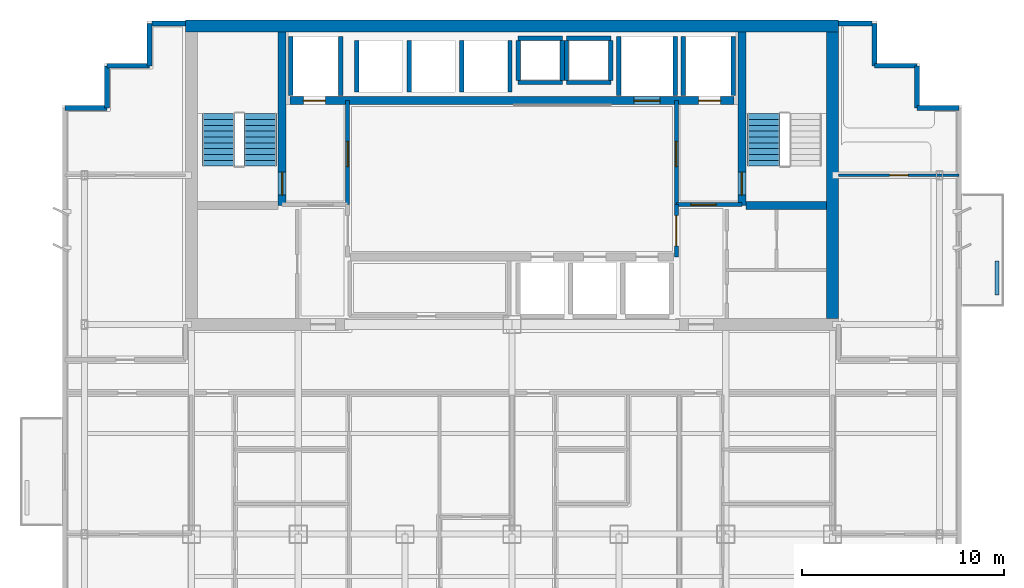
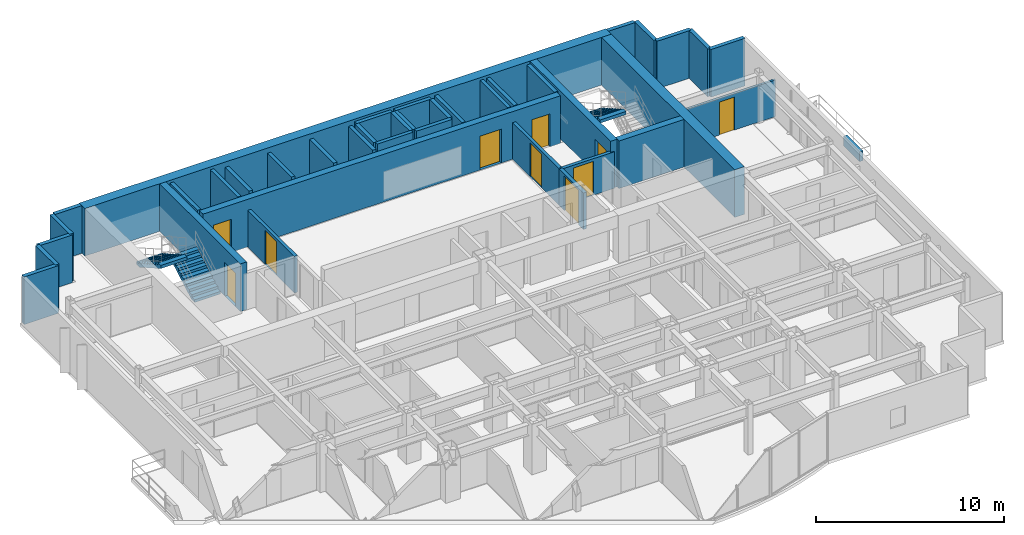
# One storey, part 8 of 11: 40 walls, 10 doors, 3 stair flights, 10 openings, 2 elements without a shape of their own.
"""IFC4 building model written with IfcOpenShell, lengths in metres."""

from ifc_helpers import new_model, si_unit, direction, frame, frame_2d, origin, place, context, subcontext, project, spatial, polyline, rectangle, outline, extrude, material, layer, layer_set, type_object, element, fill, aggregate, save


model = new_model("IFC4")

# Units and contexts
model_context = context("Model", 3, precision=1e-05, world=origin(), true_north=direction((0.0, 1.0)))
body_context = subcontext(model_context, "Body", "Model", "MODEL_VIEW")
ifc_project = project(units=[si_unit("LENGTHUNIT", "METRE"), si_unit("AREAUNIT", "SQUARE_METRE"), si_unit("VOLUMEUNIT", "CUBIC_METRE"), si_unit("PLANEANGLEUNIT", "RADIAN"), si_unit("MASSUNIT", "GRAM", prefix="KILO")], contexts=[model_context])

# Site, building, storey
site_placement = place(None, origin())
site = spatial("IfcSite", under=ifc_project, at=site_placement, CompositionType="ELEMENT")
building_placement = place(site_placement, origin())
building = spatial("IfcBuilding", under=site, at=building_placement, Name="Qianlan Lanfeng Residences", CompositionType="ELEMENT")
storey_placement = place(building_placement, frame((0.0, 0.0, 155.699951171875)))
storey = spatial("IfcBuildingStorey", under=building, at=storey_placement, Name="L42", CompositionType="ELEMENT", Elevation=155.699951171875)

# Wall, opening, door
ifc_material_1 = material(Name="Concrete C56", Category="concrete")
ifc_layer_1 = layer(ifc_material_1, 0.39990234375)
ifc_layer_set_1 = layer_set([ifc_layer_1], Name="Concrete C56")
wall_type_1 = type_object("IfcWallType", Name="CW-RC-400", PredefinedType="SHEAR", material=ifc_layer_set_1)
wall_1_placement = place(storey_placement, frame((15.10009765625, 31.10009765625, 0.0), z_axis=(0.0, 0.0, 1.0), x_axis=(0.0, 1.0, 0.0)))
wall_1 = element("IfcWall", 1, at=wall_1_placement, inside=storey, type_object=wall_type_1, Name="L42 Core Shear Wall ST1E", PredefinedType="SHEAR", context=body_context, shape_type="SweptSolid", body=[
    extrude(rectangle(XDim=8.599853515625, YDim=0.39990234375, at=frame_2d((4.2998046875, 0.0))), origin(), (0.0, 0.0, 1.0), 3.10009765625),
])
opening_1_placement = place(wall_1_placement, frame((0.510009765625, 0.0, 0.0)))
opening_1 = element("IfcOpeningElement", 2, at=opening_1_placement, cuts=wall_1, Name="Opening L42-D07", PredefinedType="OPENING", context=body_context, shape_type="SweptSolid", body=[
    extrude(rectangle(XDim=1.14990234375, YDim=2.199951171875, at=frame_2d((0.574951171875, 1.10009765625))), frame((0.0, 0.2099609375, 0.0), z_axis=(0.0, -1.0, 0.0), x_axis=(1.0, 0.0, 0.0)), (0.0, 0.0, 1.0), 0.419921875),
])
ifc_material_2 = material(Name="Painted Galvanised Steel Fire Door", Category="steel")
door_type_1 = type_object("IfcDoorType", Name="DT-ST1", OperationType="NOTDEFINED", PredefinedType="DOOR", material=ifc_material_2)
door_1_placement = place(opening_1_placement, frame((1.14990234375, 0.0, 0.0), z_axis=(0.0, 0.0, 1.0), x_axis=(-1.0, 0.0, 0.0)))
door_1 = element("IfcDoor", 3, at=door_1_placement, inside=storey, type_object=door_type_1, Name="L42 Exit Stair ST-1 Door L42-D07 (DT-ST1)", OperationType="SINGLE_SWING_RIGHT", OverallHeight=2.199951171875, OverallWidth=1.14990234375, PredefinedType="DOOR", context=body_context, shape_type="SweptSolid", body=[
    extrude(rectangle(XDim=1.14990234375, YDim=2.199951171875, at=frame_2d((0.574951171875, 1.10009765625))), frame((0.0, 0.02490234375, 0.0), z_axis=(0.0, -1.0, 0.0), x_axis=(1.0, 0.0, 0.0)), (0.0, 0.0, 1.0), 0.050048828125),
])
fill(opening_1, door_1)

wall_2_placement = place(storey_placement, frame((37.89990234375, 31.10009765625, 0.0), z_axis=(0.0, 0.0, 1.0), x_axis=(0.0, 1.0, 0.0)))
wall_2 = element("IfcWall", 4, at=wall_2_placement, inside=storey, type_object=wall_type_1, Name="L42 Core Shear Wall ST2W", PredefinedType="SHEAR", context=body_context, shape_type="SweptSolid", body=[
    extrude(rectangle(XDim=8.599853515625, YDim=0.39990234375, at=frame_2d((4.2998046875, 0.0))), origin(), (0.0, 0.0, 1.0), 3.10009765625),
])
opening_2_placement = place(wall_2_placement, frame((0.510009765625, 0.0, 0.0)))
opening_2 = element("IfcOpeningElement", 5, at=opening_2_placement, cuts=wall_2, Name="Opening L42-D08", PredefinedType="OPENING", context=body_context, shape_type="SweptSolid", body=[
    extrude(rectangle(XDim=1.14990234375, YDim=2.199951171875, at=frame_2d((0.574951171875, 1.10009765625))), frame((0.0, 0.2099609375, 0.0), z_axis=(0.0, -1.0, 0.0), x_axis=(1.0, 0.0, 0.0)), (0.0, 0.0, 1.0), 0.419921875),
])
door_2_placement = place(opening_2_placement, origin())
door_2 = element("IfcDoor", 6, at=door_2_placement, inside=storey, type_object=door_type_1, Name="L42 Exit Stair ST-2 Door L42-D08 (DT-ST1)", OperationType="SINGLE_SWING_RIGHT", OverallHeight=2.199951171875, OverallWidth=1.14990234375, PredefinedType="DOOR", context=body_context, shape_type="SweptSolid", body=[
    extrude(rectangle(XDim=1.14990234375, YDim=2.199951171875, at=frame_2d((0.574951171875, 1.10009765625))), frame((0.0, 0.02490234375, 0.0), z_axis=(0.0, -1.0, 0.0), x_axis=(1.0, 0.0, 0.0)), (0.0, 0.0, 1.0), 0.050048828125),
])
fill(opening_2, door_2)

# Wall
wall_3_placement = place(storey_placement, frame((38.10009765625, 31.10009765625, 0.0), z_axis=(0.0, 0.0, 1.0), x_axis=(1.0, 0.0, 0.0)))
element("IfcWall", 7, at=wall_3_placement, inside=storey, type_object=wall_type_1, Name="L42 Core Shear Wall ST2S", PredefinedType="SHEAR", context=body_context, shape_type="SweptSolid", body=[
    extrude(rectangle(XDim=4.0, YDim=0.39990234375, at=frame_2d((2.0, 0.0))), origin(), (0.0, 0.0, 1.0), 3.10009765625),
])

# Wall, openings, doors
wall_4_placement = place(storey_placement, frame((15.5, 36.300048828125, 0.0), z_axis=(0.0, 0.0, 1.0), x_axis=(1.0, 0.0, 0.0)))
wall_4 = element("IfcWall", 8, at=wall_4_placement, inside=storey, type_object=wall_type_1, Name="L42 Core Shear Wall LBN", PredefinedType="SHEAR", context=body_context, shape_type="SweptSolid", body=[
    extrude(rectangle(XDim=22.0, YDim=0.39990234375, at=frame_2d((11.0, 0.0))), origin(), (0.0, 0.0, 1.0), 3.10009765625),
])
opening_3_placement = place(wall_4_placement, frame((0.64990234375, 0.0, 0.0)))
opening_3 = element("IfcOpeningElement", 9, at=opening_3_placement, cuts=wall_4, Name="Opening L42-LD-FFL-1", PredefinedType="OPENING", context=body_context, shape_type="SweptSolid", body=[
    extrude(rectangle(XDim=1.10009765625, YDim=2.14990234375, at=frame_2d((0.550048828125, 1.074951171875))), frame((0.0, 0.2099609375, 0.0), z_axis=(0.0, -1.0, 0.0), x_axis=(1.0, 0.0, 0.0)), (0.0, 0.0, 1.0), 0.419921875),
])
opening_4_placement = place(wall_4_placement, frame((20.25, 0.0, 0.0)))
opening_4 = element("IfcOpeningElement", 10, at=opening_4_placement, cuts=wall_4, Name="Opening L42-LD-FFL-2", PredefinedType="OPENING", context=body_context, shape_type="SweptSolid", body=[
    extrude(rectangle(XDim=1.10009765625, YDim=2.14990234375, at=frame_2d((0.550048828125, 1.074951171875))), frame((0.0, 0.2099609375, 0.0), z_axis=(0.0, -1.0, 0.0), x_axis=(1.0, 0.0, 0.0)), (0.0, 0.0, 1.0), 0.419921875),
])
opening_5_placement = place(wall_4_placement, frame((17.050048828125, 0.0, 0.0)))
opening_5 = element("IfcOpeningElement", 11, at=opening_5_placement, cuts=wall_4, Name="Opening L42-LD-SVL-1", PredefinedType="OPENING", context=body_context, shape_type="SweptSolid", body=[
    extrude(rectangle(XDim=1.300048828125, YDim=2.199951171875, at=frame_2d((0.64990234375, 1.10009765625))), frame((0.0, 0.2099609375, 0.0), z_axis=(0.0, -1.0, 0.0), x_axis=(1.0, 0.0, 0.0)), (0.0, 0.0, 1.0), 0.419921875),
])
ifc_material_3 = material(Name="Brushed Stainless Steel Sliding Lift Door", Category="steel")
door_type_2 = type_object("IfcDoorType", Name="LD-01", OperationType="NOTDEFINED", PredefinedType="DOOR", material=ifc_material_3)
door_3_placement = place(opening_3_placement, frame((1.10009765625, 0.0, 0.0), z_axis=(0.0, 0.0, 1.0), x_axis=(-1.0, 0.0, 0.0)))
door_3 = element("IfcDoor", 12, at=door_3_placement, inside=storey, type_object=door_type_2, Name="L42 Elevator FFL-1 Sliding Landing Door", OperationType="DOUBLE_DOOR_SLIDING", OverallHeight=2.14990234375, OverallWidth=1.10009765625, PredefinedType="DOOR", context=body_context, shape_type="SweptSolid", body=[
    extrude(rectangle(XDim=1.10009765625, YDim=2.14990234375, at=frame_2d((0.550048828125, 1.074951171875))), frame((0.0, 0.02490234375, 0.0), z_axis=(0.0, -1.0, 0.0), x_axis=(1.0, 0.0, 0.0)), (0.0, 0.0, 1.0), 0.050048828125),
])
fill(opening_3, door_3)
door_4_placement = place(opening_4_placement, frame((1.10009765625, 0.0, 0.0), z_axis=(0.0, 0.0, 1.0), x_axis=(-1.0, 0.0, 0.0)))
door_4 = element("IfcDoor", 13, at=door_4_placement, inside=storey, type_object=door_type_2, Name="L42 Elevator FFL-2 Sliding Landing Door", OperationType="DOUBLE_DOOR_SLIDING", OverallHeight=2.14990234375, OverallWidth=1.10009765625, PredefinedType="DOOR", context=body_context, shape_type="SweptSolid", body=[
    extrude(rectangle(XDim=1.10009765625, YDim=2.14990234375, at=frame_2d((0.550048828125, 1.074951171875))), frame((0.0, 0.02490234375, 0.0), z_axis=(0.0, -1.0, 0.0), x_axis=(1.0, 0.0, 0.0)), (0.0, 0.0, 1.0), 0.050048828125),
])
fill(opening_4, door_4)
door_type_3 = type_object("IfcDoorType", Name="LD-02", OperationType="NOTDEFINED", PredefinedType="DOOR", material=ifc_material_3)
door_5_placement = place(opening_5_placement, frame((1.300048828125, 0.0, 0.0), z_axis=(0.0, 0.0, 1.0), x_axis=(-1.0, 0.0, 0.0)))
door_5 = element("IfcDoor", 14, at=door_5_placement, inside=storey, type_object=door_type_3, Name="L42 Elevator SVL-1 Sliding Landing Door", OperationType="DOUBLE_DOOR_SLIDING", OverallHeight=2.199951171875, OverallWidth=1.300048828125, PredefinedType="DOOR", context=body_context, shape_type="SweptSolid", body=[
    extrude(rectangle(XDim=1.300048828125, YDim=2.199951171875, at=frame_2d((0.64990234375, 1.10009765625))), frame((0.0, 0.02490234375, 0.0), z_axis=(0.0, -1.0, 0.0), x_axis=(1.0, 0.0, 0.0)), (0.0, 0.0, 1.0), 0.050048828125),
])
fill(opening_5, door_5)

# Walls
ifc_layer_2 = layer(ifc_material_1, 0.60009765625)
ifc_layer_set_2 = layer_set([ifc_layer_2], Name="Concrete C56")
wall_type_2 = type_object("IfcWallType", Name="CW-RC-600", PredefinedType="SHEAR", material=ifc_layer_set_2)
wall_5_placement = place(storey_placement, frame((10.300048828125, 40.0, 0.0), z_axis=(0.0, 0.0, 1.0), x_axis=(1.0, 0.0, 0.0)))
element("IfcWall", 15, at=wall_5_placement, inside=storey, type_object=wall_type_2, Name="L42 Core Shear Wall N", PredefinedType="SHEAR", context=body_context, shape_type="SweptSolid", body=[
    extrude(rectangle(XDim=32.39990234375, YDim=0.60009765625, at=frame_2d((16.199951171875, 0.0))), origin(), (0.0, 0.0, 1.0), 3.10009765625),
])
wall_6_placement = place(storey_placement, frame((42.39990234375, 25.5, 0.0), z_axis=(0.0, 0.0, 1.0), x_axis=(0.0, 1.0, 0.0)))
element("IfcWall", 16, at=wall_6_placement, inside=storey, type_object=wall_type_2, Name="L42 Core Shear Wall E", PredefinedType="SHEAR", context=body_context, shape_type="SweptSolid", body=[
    extrude(rectangle(XDim=14.199951171875, YDim=0.60009765625, at=frame_2d((7.10009765625, 0.0))), origin(), (0.0, 0.0, 1.0), 3.10009765625),
])
ifc_material_4 = material(Name="Concrete C42", Category="concrete")
ifc_layer_3 = layer(ifc_material_4, 0.239990234375)
ifc_layer_set_3 = layer_set([ifc_layer_3], Name="Concrete C42")
wall_type_3 = type_object("IfcWallType", Name="EW-240", PredefinedType="SOLIDWALL", material=ifc_layer_set_3)
wall_7_placement = place(storey_placement, frame((48.679931640625, 35.929931640625, 0.0), z_axis=(0.0, 0.0, 1.0), x_axis=(-1.0, 0.0, 0.0)))
element("IfcWall", 17, at=wall_7_placement, inside=storey, type_object=wall_type_3, Name="L42 Exterior Facade Spandrel Wall 11", PredefinedType="SOLIDWALL", context=body_context, shape_type="SweptSolid", body=[
    extrude(rectangle(XDim=2.099853515625, YDim=0.239990234375, at=frame_2d((1.0498046875, 0.0))), origin(), (0.0, 0.0, 1.0), 3.10009765625),
])
for number, where, z_axis, x_axis, name in (
    (18, (46.580078125, 35.929931640625, 0.0), (0.0, 0.0, 1.0), (0.0, 1.0, 0.0), "L42 Exterior Facade Spandrel Wall 12"),
    (19, (46.580078125, 38.030029296875, 0.0), (0.0, 0.0, 1.0), (-1.0, 0.0, 0.0), "L42 Exterior Facade Spandrel Wall 13"),
):
    element("IfcWall", number, at=place(storey_placement, frame(where, z_axis=z_axis, x_axis=x_axis)), inside=storey, type_object=wall_type_3, Name=name, PredefinedType="SOLIDWALL", context=body_context, shape_type="SweptSolid", body=[
        extrude(rectangle(XDim=2.10009765625, YDim=0.239990234375, at=frame_2d((1.050048828125, 0.0))), origin(), (0.0, 0.0, 1.0), 3.10009765625),
    ])
wall_8_placement = place(storey_placement, frame((44.47998046875, 38.030029296875, 0.0), z_axis=(0.0, 0.0, 1.0), x_axis=(0.0, 1.0, 0.0)))
element("IfcWall", 20, at=wall_8_placement, inside=storey, type_object=wall_type_3, Name="L42 Exterior Facade Spandrel Wall 14", PredefinedType="SOLIDWALL", context=body_context, shape_type="SweptSolid", body=[
    extrude(rectangle(XDim=2.099853515625, YDim=0.239990234375, at=frame_2d((1.0498046875, 0.0))), origin(), (0.0, 0.0, 1.0), 3.10009765625),
])
for number, where, z_axis, x_axis, name in (
    (21, (44.35009765625, 40.1298828125, 0.0), (0.0, 0.0, 1.0), (-1.0, 0.0, 0.0), "L42 North Wing Exterior Wall E"),
    (22, (10.300048828125, 40.1298828125, 0.0), (0.0, 0.0, 1.0), (-1.0, 0.0, 0.0), "L42 North Wing Exterior Wall W"),
):
    element("IfcWall", number, at=place(storey_placement, frame(where, z_axis=z_axis, x_axis=x_axis)), inside=storey, type_object=wall_type_3, Name=name, PredefinedType="SOLIDWALL", context=body_context, shape_type="SweptSolid", body=[
        extrude(rectangle(XDim=1.650146484375, YDim=0.239990234375, at=frame_2d((0.8251953125, 0.0))), origin(), (0.0, 0.0, 1.0), 3.10009765625),
    ])
wall_9_placement = place(storey_placement, frame((8.52001953125, 40.1298828125, 0.0), z_axis=(0.0, 0.0, 1.0), x_axis=(0.0, -1.0, 0.0)))
element("IfcWall", 23, at=wall_9_placement, inside=storey, type_object=wall_type_3, Name="L42 Exterior Facade Spandrel Wall 17", PredefinedType="SOLIDWALL", context=body_context, shape_type="SweptSolid", body=[
    extrude(rectangle(XDim=2.099853515625, YDim=0.239990234375, at=frame_2d((1.0498046875, 0.0))), origin(), (0.0, 0.0, 1.0), 3.10009765625),
])
for number, where, z_axis, x_axis, name in (
    (24, (8.52001953125, 38.030029296875, 0.0), (0.0, 0.0, 1.0), (-1.0, 0.0, 0.0), "L42 Exterior Facade Spandrel Wall 18"),
    (25, (6.419921875, 38.030029296875, 0.0), (0.0, 0.0, 1.0), (0.0, -1.0, 0.0), "L42 Exterior Facade Spandrel Wall 19"),
):
    element("IfcWall", number, at=place(storey_placement, frame(where, z_axis=z_axis, x_axis=x_axis)), inside=storey, type_object=wall_type_3, Name=name, PredefinedType="SOLIDWALL", context=body_context, shape_type="SweptSolid", body=[
        extrude(rectangle(XDim=2.10009765625, YDim=0.239990234375, at=frame_2d((1.050048828125, 0.0))), origin(), (0.0, 0.0, 1.0), 3.10009765625),
    ])
wall_10_placement = place(storey_placement, frame((6.419921875, 35.929931640625, 0.0), z_axis=(0.0, 0.0, 1.0), x_axis=(-1.0, 0.0, 0.0)))
element("IfcWall", 26, at=wall_10_placement, inside=storey, type_object=wall_type_3, Name="L42 Exterior Facade Spandrel Wall 20", PredefinedType="SOLIDWALL", context=body_context, shape_type="SweptSolid", body=[
    extrude(rectangle(XDim=2.099853515625, YDim=0.239990234375, at=frame_2d((1.0498046875, 0.0))), origin(), (0.0, 0.0, 1.0), 3.10009765625),
])
ifc_layer_4 = layer(ifc_material_4, 0.199951171875)
ifc_layer_set_4 = layer_set([ifc_layer_4], Name="Concrete C42")
wall_type_4 = type_object("IfcWallType", Name="PL-TREE-200", PredefinedType="PARAPET", material=ifc_layer_set_4)
wall_11_placement = place(storey_placement, frame((50.550048828125, 26.64990234375, 0.0), z_axis=(0.0, 0.0, 1.0), x_axis=(0.0, 1.0, 0.0)))
element("IfcWall", 27, at=wall_11_placement, inside=storey, type_object=wall_type_4, Name="L42 East Tree Planter Curb EB-N", PredefinedType="PARAPET", context=body_context, shape_type="SweptSolid", body=[
    extrude(rectangle(XDim=1.7001953125, YDim=0.199951171875, at=frame_2d((0.85009765625, 0.0))), origin(), (0.0, 0.0, 1.0), 0.650146484375),
])

# Wall, opening, door
ifc_material_5 = material(Name="Moisture-Resistant Gypsum Partition 135 mm")
ifc_layer_5 = layer(ifc_material_5, 0.135009765625)
ifc_layer_set_5 = layer_set([ifc_layer_5], Name="Moisture-Resistant Gypsum Partition 135 mm")
wall_type_5 = type_object("IfcWallType", Name="PW-135", PredefinedType="PARTITIONING", material=ifc_layer_set_5)
wall_12_placement = place(storey_placement, frame((42.699951171875, 32.60009765625, 0.0), z_axis=(0.0, 0.0, 1.0), x_axis=(1.0, 0.0, 0.0)))
wall_12 = element("IfcWall", 28, at=wall_12_placement, inside=storey, type_object=wall_type_5, Name="L42 EW North Wing Wall", PredefinedType="PARTITIONING", context=body_context, shape_type="SweptSolid", body=[
    extrude(rectangle(XDim=5.97998046875, YDim=0.135009765625, at=frame_2d((2.989990234375, 0.0))), origin(), (0.0, 0.0, 1.0), 2.380126953125),
])
opening_6_placement = place(wall_12_placement, frame((2.530029296875, 0.0, 0.0)))
opening_6 = element("IfcOpeningElement", 29, at=opening_6_placement, cuts=wall_12, Name="Opening L42-D42", PredefinedType="OPENING", context=body_context, shape_type="SweptSolid", body=[
    extrude(rectangle(XDim=0.919921875, YDim=2.14990234375, at=frame_2d((0.4599609375, 1.074951171875))), frame((0.0, 0.07763671875, 0.0), z_axis=(0.0, -1.0, 0.0), x_axis=(1.0, 0.0, 0.0)), (0.0, 0.0, 1.0), 0.155029296875),
])
ifc_material_6 = material(Name="Glazed Timber Kitchen/Study Door", Category="wood")
door_type_4 = type_object("IfcDoorType", Name="DT-INT", OperationType="NOTDEFINED", PredefinedType="DOOR", material=ifc_material_6)
door_6_placement = place(opening_6_placement, origin())
door_6 = element("IfcDoor", 30, at=door_6_placement, inside=storey, type_object=door_type_4, Name="L42 EW Inner Salon Door L42-D42 (DT-INT)", OperationType="SINGLE_SWING_RIGHT", OverallHeight=2.14990234375, OverallWidth=0.919921875, PredefinedType="DOOR", context=body_context, shape_type="SweptSolid", body=[
    extrude(rectangle(XDim=0.919921875, YDim=2.14990234375, at=frame_2d((0.4599609375, 1.074951171875))), frame((0.0, 0.02490234375, 0.0), z_axis=(0.0, -1.0, 0.0), x_axis=(1.0, 0.0, 0.0)), (0.0, 0.0, 1.0), 0.050048828125),
])
fill(opening_6, door_6)

ifc_material_7 = material(Name="Autoclaved Aerated Concrete Blockwork 200 mm", Category="masonry")
ifc_layer_6 = layer(ifc_material_7, 0.199951171875)
ifc_layer_set_6 = layer_set([ifc_layer_6], Name="Autoclaved Aerated Concrete Blockwork 200 mm")
wall_type_6 = type_object("IfcWallType", Name="PW-200", PredefinedType="PARTITIONING", material=ifc_layer_set_6)
wall_13_placement = place(storey_placement, frame((18.35009765625, 31.14990234375, 0.0), z_axis=(0.0, 0.0, 1.0), x_axis=(0.0, 1.0, 0.0)))
wall_13 = element("IfcWall", 31, at=wall_13_placement, inside=storey, type_object=wall_type_6, Name="L42 Firefighting Lobby 1 East Wall", PredefinedType="PARTITIONING", context=body_context, shape_type="SweptSolid", body=[
    extrude(rectangle(XDim=5.150146484375, YDim=0.199951171875, at=frame_2d((2.5751953125, 0.0))), origin(), (0.0, 0.0, 1.0), 2.380126953125),
])
opening_7_placement = place(wall_13_placement, frame((1.875, 0.0, 0.0)))
opening_7 = element("IfcOpeningElement", 32, at=opening_7_placement, cuts=wall_13, Name="Opening L42-D04", PredefinedType="OPENING", context=body_context, shape_type="SweptSolid", body=[
    extrude(rectangle(XDim=1.25, YDim=2.199951171875, at=frame_2d((0.625, 1.10009765625))), frame((0.0, 0.10986328125, 0.0), z_axis=(0.0, -1.0, 0.0), x_axis=(1.0, 0.0, 0.0)), (0.0, 0.0, 1.0), 0.219970703125),
])
door_type_5 = type_object("IfcDoorType", Name="DT-FFL", OperationType="NOTDEFINED", PredefinedType="DOOR", material=ifc_material_2)
door_7_placement = place(opening_7_placement, origin())
door_7 = element("IfcDoor", 33, at=door_7_placement, inside=storey, type_object=door_type_5, Name="L42 Firefighting Lobby 1 Lift Lobby Door L42-D04 (DT-FFL)", OperationType="SINGLE_SWING_RIGHT", OverallHeight=2.199951171875, OverallWidth=1.25, PredefinedType="DOOR", context=body_context, shape_type="SweptSolid", body=[
    extrude(rectangle(XDim=1.25, YDim=2.199951171875, at=frame_2d((0.625, 1.10009765625))), frame((0.0, 0.02490234375, 0.0), z_axis=(0.0, -1.0, 0.0), x_axis=(1.0, 0.0, 0.0)), (0.0, 0.0, 1.0), 0.050048828125),
])
fill(opening_7, door_7)

wall_14_placement = place(storey_placement, frame((34.64990234375, 31.14990234375, 0.0), z_axis=(0.0, 0.0, 1.0), x_axis=(1.0, 0.0, 0.0)))
wall_14 = element("IfcWall", 34, at=wall_14_placement, inside=storey, type_object=wall_type_6, Name="L42 Firefighting Lobby 2 South Wall", PredefinedType="PARTITIONING", context=body_context, shape_type="SweptSolid", body=[
    extrude(rectangle(XDim=3.25, YDim=0.199951171875, at=frame_2d((1.625, 0.0))), origin(), (0.0, 0.0, 1.0), 2.380126953125),
])
opening_8_placement = place(wall_14_placement, frame((0.72509765625, 0.0, 0.0)))
opening_8 = element("IfcOpeningElement", 35, at=opening_8_placement, cuts=wall_14, Name="Opening L42-D05", PredefinedType="OPENING", context=body_context, shape_type="SweptSolid", body=[
    extrude(rectangle(XDim=1.25, YDim=2.199951171875, at=frame_2d((0.625, 1.10009765625))), frame((0.0, 0.10986328125, 0.0), z_axis=(0.0, -1.0, 0.0), x_axis=(1.0, 0.0, 0.0)), (0.0, 0.0, 1.0), 0.219970703125),
])
door_8_placement = place(opening_8_placement, origin())
door_8 = element("IfcDoor", 36, at=door_8_placement, inside=storey, type_object=door_type_5, Name="L42 Firefighting Lobby 2 Entry Door L42-D05 (DT-FFL)", OperationType="SINGLE_SWING_RIGHT", OverallHeight=2.199951171875, OverallWidth=1.25, PredefinedType="DOOR", context=body_context, shape_type="SweptSolid", body=[
    extrude(rectangle(XDim=1.25, YDim=2.199951171875, at=frame_2d((0.625, 1.10009765625))), frame((0.0, 0.02490234375, 0.0), z_axis=(0.0, -1.0, 0.0), x_axis=(1.0, 0.0, 0.0)), (0.0, 0.0, 1.0), 0.050048828125),
])
fill(opening_8, door_8)

wall_15_placement = place(storey_placement, frame((34.64990234375, 31.14990234375, 0.0), z_axis=(0.0, 0.0, 1.0), x_axis=(0.0, 1.0, 0.0)))
wall_15 = element("IfcWall", 37, at=wall_15_placement, inside=storey, type_object=wall_type_6, Name="L42 Firefighting Lobby 2 West Wall", PredefinedType="PARTITIONING", context=body_context, shape_type="SweptSolid", body=[
    extrude(rectangle(XDim=5.150146484375, YDim=0.199951171875, at=frame_2d((2.5751953125, 0.0))), origin(), (0.0, 0.0, 1.0), 2.380126953125),
])
opening_9_placement = place(wall_15_placement, frame((1.875, 0.0, 0.0)))
opening_9 = element("IfcOpeningElement", 38, at=opening_9_placement, cuts=wall_15, Name="Opening L42-D06", PredefinedType="OPENING", context=body_context, shape_type="SweptSolid", body=[
    extrude(rectangle(XDim=1.25, YDim=2.199951171875, at=frame_2d((0.625, 1.10009765625))), frame((0.0, 0.10986328125, 0.0), z_axis=(0.0, -1.0, 0.0), x_axis=(1.0, 0.0, 0.0)), (0.0, 0.0, 1.0), 0.219970703125),
])
door_9_placement = place(opening_9_placement, origin())
door_9 = element("IfcDoor", 39, at=door_9_placement, inside=storey, type_object=door_type_5, Name="L42 Firefighting Lobby 2 Lift Lobby Door L42-D06 (DT-FFL)", OperationType="SINGLE_SWING_RIGHT", OverallHeight=2.199951171875, OverallWidth=1.25, PredefinedType="DOOR", context=body_context, shape_type="SweptSolid", body=[
    extrude(rectangle(XDim=1.25, YDim=2.199951171875, at=frame_2d((0.625, 1.10009765625))), frame((0.0, 0.02490234375, 0.0), z_axis=(0.0, -1.0, 0.0), x_axis=(1.0, 0.0, 0.0)), (0.0, 0.0, 1.0), 0.050048828125),
])
fill(opening_9, door_9)

wall_16_placement = place(storey_placement, frame((34.64990234375, 28.550048828125, 0.0), z_axis=(0.0, 0.0, 1.0), x_axis=(0.0, 1.0, 0.0)))
wall_16 = element("IfcWall", 40, at=wall_16_placement, inside=storey, type_object=wall_type_6, Name="L42 Lift Lobby East Connector Wall", PredefinedType="PARTITIONING", context=body_context, shape_type="SweptSolid", body=[
    extrude(rectangle(XDim=2.599853515625, YDim=0.199951171875, at=frame_2d((1.2998046875, 0.0))), origin(), (0.0, 0.0, 1.0), 2.380126953125),
])
opening_10_placement = place(wall_16_placement, frame((0.550048828125, 0.0, 0.0)))
opening_10 = element("IfcOpeningElement", 41, at=opening_10_placement, cuts=wall_16, Name="Opening L42-D14", PredefinedType="OPENING", context=body_context, shape_type="SweptSolid", body=[
    extrude(rectangle(XDim=1.5, YDim=2.25, at=frame_2d((0.75, 1.125))), frame((0.0, 0.10986328125, 0.0), z_axis=(0.0, -1.0, 0.0), x_axis=(1.0, 0.0, 0.0)), (0.0, 0.0, 1.0), 0.219970703125),
])
ifc_material_8 = material(Name="Timber Veneer Acoustic Fire Door", Category="wood")
door_type_6 = type_object("IfcDoorType", Name="DT-COR1", OperationType="NOTDEFINED", PredefinedType="DOOR", material=ifc_material_8)
door_10_placement = place(opening_10_placement, frame((1.5, 0.0, 0.0), z_axis=(0.0, 0.0, 1.0), x_axis=(-1.0, 0.0, 0.0)))
door_10 = element("IfcDoor", 42, at=door_10_placement, inside=storey, type_object=door_type_6, Name="L42 Lift Lobby East Portal Door L42-D14 (DT-COR1)", OperationType="DOUBLE_DOOR_SINGLE_SWING", OverallHeight=2.25, OverallWidth=1.5, PredefinedType="DOOR", context=body_context, shape_type="SweptSolid", body=[
    extrude(rectangle(XDim=1.5, YDim=2.25, at=frame_2d((0.75, 1.125))), frame((0.0, 0.02490234375, 0.0), z_axis=(0.0, -1.0, 0.0), x_axis=(1.0, 0.0, 0.0)), (0.0, 0.0, 1.0), 0.050048828125),
])
fill(opening_10, door_10)

# Walls
ifc_material_9 = material(Name="Concrete C49", Category="concrete")
ifc_layer_7 = layer(ifc_material_9, 0.219970703125)
ifc_layer_set_7 = layer_set([ifc_layer_7], Name="Concrete C49")
wall_type_7 = type_object("IfcWallType", Name="SHW-220", PredefinedType="SOLIDWALL", material=ifc_layer_set_7)
for number, where, z_axis, x_axis, name in (
    (43, (15.52001953125, 36.550048828125, 0.0), (0.0, 0.0, 1.0), (0.0, 1.0, 0.0), "L42 Lift FFL-1 Shaft Wall W"),
    (44, (18.0, 36.550048828125, 0.0), (0.0, 0.0, 1.0), (0.0, 1.0, 0.0), "L42 Lift FFL-1 Shaft Wall E"),
    (45, (35.0, 36.550048828125, 0.0), (0.0, 0.0, 1.0), (0.0, 1.0, 0.0), "L42 Lift FFL-2 Shaft Wall W"),
    (46, (37.47998046875, 36.550048828125, 0.0), (0.0, 0.0, 1.0), (0.0, 1.0, 0.0), "L42 Lift FFL-2 Shaft Wall E"),
    (47, (31.800048828125, 36.550048828125, 0.0), (0.0, 0.0, 1.0), (0.0, 1.0, 0.0), "L42 Lift SVL-1 Shaft Wall W"),
    (48, (34.60009765625, 36.550048828125, 0.0), (0.0, 0.0, 1.0), (0.0, 1.0, 0.0), "L42 Lift SVL-1 Shaft Wall E"),
):
    element("IfcWall", number, at=place(storey_placement, frame(where, z_axis=z_axis, x_axis=x_axis)), inside=storey, type_object=wall_type_7, Name=name, PredefinedType="SOLIDWALL", context=body_context, shape_type="SweptSolid", body=[
        extrude(rectangle(XDim=2.929931640625, YDim=0.219970703125, at=frame_2d((1.46484375, 0.0))), origin(), (0.0, 0.0, 1.0), 3.10009765625),
    ])
for number, where, z_axis, x_axis, name in (
    (49, (18.800048828125, 36.719970703125, 0.0), (0.0, 0.0, 1.0), (0.0, 1.0, 0.0), "L42 Lift PL-H1 Shaft Wall W"),
    (50, (21.39990234375, 36.719970703125, 0.0), (0.0, 0.0, 1.0), (0.0, 1.0, 0.0), "L42 Lift PL-H2 Shaft Wall W"),
    (51, (24.0, 36.719970703125, 0.0), (0.0, 0.0, 1.0), (0.0, 1.0, 0.0), "L42 Lift PL-H3 Shaft Wall W"),
    (52, (26.39990234375, 36.719970703125, 0.0), (0.0, 0.0, 1.0), (0.0, 1.0, 0.0), "L42 Lift PL-H3 Shaft Wall E"),
):
    element("IfcWall", number, at=place(storey_placement, frame(where, z_axis=z_axis, x_axis=x_axis)), inside=storey, type_object=wall_type_7, Name=name, PredefinedType="SOLIDWALL", context=body_context, shape_type="SweptSolid", body=[
        extrude(rectangle(XDim=2.56005859375, YDim=0.219970703125, at=frame_2d((1.280029296875, 0.0))), origin(), (0.0, 0.0, 1.0), 3.10009765625),
    ])
for number, where, z_axis, x_axis, name in (
    (53, (26.800048828125, 37.31005859375, 0.0), (0.0, 0.0, 1.0), (0.0, 1.0, 0.0), "L42 MEP Riser MEP-R1 Shaft Wall W"),
    (54, (29.0, 37.31005859375, 0.0), (0.0, 0.0, 1.0), (0.0, 1.0, 0.0), "L42 MEP Riser MEP-R1 Shaft Wall E"),
):
    element("IfcWall", number, at=place(storey_placement, frame(where, z_axis=z_axis, x_axis=x_axis)), inside=storey, type_object=wall_type_7, Name=name, PredefinedType="SOLIDWALL", context=body_context, shape_type="SweptSolid", body=[
        extrude(rectangle(XDim=1.97998046875, YDim=0.219970703125, at=frame_2d((0.989990234375, 0.0))), origin(), (0.0, 0.0, 1.0), 3.10009765625),
    ])
for number, where, z_axis, x_axis, name in (
    (55, (26.800048828125, 39.39990234375, 0.0), (0.0, 0.0, 1.0), (1.0, 0.0, 0.0), "L42 MEP Riser MEP-R1 Shaft Wall N"),
    (56, (26.800048828125, 37.199951171875, 0.0), (0.0, 0.0, 1.0), (1.0, 0.0, 0.0), "L42 MEP Riser MEP-R1 Shaft Wall S"),
):
    element("IfcWall", number, at=place(storey_placement, frame(where, z_axis=z_axis, x_axis=x_axis)), inside=storey, type_object=wall_type_7, Name=name, PredefinedType="SOLIDWALL", context=body_context, shape_type="SweptSolid", body=[
        extrude(rectangle(XDim=2.199951171875, YDim=0.219970703125, at=frame_2d((1.10009765625, 0.0))), origin(), (0.0, 0.0, 1.0), 3.10009765625),
    ])
for number, where, z_axis, x_axis, name in (
    (57, (29.199951171875, 37.31005859375, 0.0), (0.0, 0.0, 1.0), (0.0, 1.0, 0.0), "L42 MEP Riser MEP-R2 Shaft Wall W"),
    (58, (31.39990234375, 37.31005859375, 0.0), (0.0, 0.0, 1.0), (0.0, 1.0, 0.0), "L42 MEP Riser MEP-R2 Shaft Wall E"),
):
    element("IfcWall", number, at=place(storey_placement, frame(where, z_axis=z_axis, x_axis=x_axis)), inside=storey, type_object=wall_type_7, Name=name, PredefinedType="SOLIDWALL", context=body_context, shape_type="SweptSolid", body=[
        extrude(rectangle(XDim=1.97998046875, YDim=0.219970703125, at=frame_2d((0.989990234375, 0.0))), origin(), (0.0, 0.0, 1.0), 3.10009765625),
    ])
for number, where, z_axis, x_axis, name in (
    (59, (29.199951171875, 39.39990234375, 0.0), (0.0, 0.0, 1.0), (1.0, 0.0, 0.0), "L42 MEP Riser MEP-R2 Shaft Wall N"),
    (60, (29.199951171875, 37.199951171875, 0.0), (0.0, 0.0, 1.0), (1.0, 0.0, 0.0), "L42 MEP Riser MEP-R2 Shaft Wall S"),
):
    element("IfcWall", number, at=place(storey_placement, frame(where, z_axis=z_axis, x_axis=x_axis)), inside=storey, type_object=wall_type_7, Name=name, PredefinedType="SOLIDWALL", context=body_context, shape_type="SweptSolid", body=[
        extrude(rectangle(XDim=2.199951171875, YDim=0.219970703125, at=frame_2d((1.10009765625, 0.0))), origin(), (0.0, 0.0, 1.0), 3.10009765625),
    ])

# Stair, stair flights
stair_type = type_object("IfcStairType", Name="STR-MAIN", PredefinedType="HALF_TURN_STAIR", material=ifc_material_4)
stair_1_placement = place(storey_placement, origin())
stair_1 = element("IfcStair", 61, at=stair_1_placement, inside=storey, type_object=stair_type, Name="L42 Exit Stair ST-1", PredefinedType="HALF_TURN_STAIR")
stair_flight_type = type_object("IfcStairFlightType", Name="FLT-1720", PredefinedType="STRAIGHT", material=ifc_material_4)
stair_flight_1_placement = place(storey_placement, frame((14.02001953125, 33.050048828125, 0.0), z_axis=(0.0, 0.0, 1.0), x_axis=(0.0, 1.0, 0.0)))
stair_flight_1 = element("IfcStairFlight", 62, at=stair_flight_1_placement, type_object=stair_flight_type, Name="ST-1 flight 1", NumberOfRisers=10, NumberOfTreads=9, PredefinedType="STRAIGHT", RiserHeight=0.165, TreadLength=0.29, context=body_context, shape_type="SweptSolid", body=[
    extrude(outline(polyline([(0.0, 0.0), (0.0, 0.1650390625), (0.2900390625, 0.1650390625), (0.2900390625, 0.330078125), (0.580078125, 0.330078125), (0.580078125, 0.4951171875), (0.8701171875, 0.4951171875), (0.8701171875, 0.659912109375), (1.159912109375, 0.659912109375), (1.159912109375, 0.824951171875), (1.449951171875, 0.824951171875), (1.449951171875, 0.989990234375), (1.739990234375, 0.989990234375), (1.739990234375, 1.155029296875), (2.030029296875, 1.155029296875), (2.030029296875, 1.320068359375), (2.320068359375, 1.320068359375), (2.320068359375, 1.485107421875), (2.610107421875, 1.485107421875), (2.610107421875, 1.64990234375), (2.610107421875, 1.278076171875), (0.36376953125, 0.0), (0.0, 0.0)])), frame((0.0, 0.800048828125, 0.0), z_axis=(0.0, -1.0, 0.0), x_axis=(1.0, 0.0, 0.0)), (0.0, 0.0, 1.0), 1.60009765625),
])
stair_flight_2_placement = place(storey_placement, frame((11.93994140625, 35.659912109375, 1.650146484375), z_axis=(0.0, 0.0, 1.0), x_axis=(0.0, -1.0, 0.0)))
stair_flight_2 = element("IfcStairFlight", 63, at=stair_flight_2_placement, type_object=stair_flight_type, Name="ST-1 flight 2", NumberOfRisers=10, NumberOfTreads=9, PredefinedType="STRAIGHT", RiserHeight=0.165, TreadLength=0.29, context=body_context, shape_type="SweptSolid", body=[
    extrude(outline(polyline([(0.0, 0.0), (0.0, 0.1650390625), (0.2900390625, 0.1650390625), (0.2900390625, 0.330078125), (0.580078125, 0.330078125), (0.580078125, 0.4951171875), (0.8701171875, 0.4951171875), (0.8701171875, 0.659912109375), (1.159912109375, 0.659912109375), (1.159912109375, 0.824951171875), (1.449951171875, 0.824951171875), (1.449951171875, 0.989990234375), (1.739990234375, 0.989990234375), (1.739990234375, 1.155029296875), (2.030029296875, 1.155029296875), (2.030029296875, 1.320068359375), (2.320068359375, 1.320068359375), (2.320068359375, 1.485107421875), (2.610107421875, 1.485107421875), (2.610107421875, 1.64990234375), (2.610107421875, 1.278076171875), (0.36376953125, 0.0), (0.0, 0.0)])), frame((0.0, 0.800048828125, 0.0), z_axis=(0.0, -1.0, 0.0), x_axis=(1.0, 0.0, 0.0)), (0.0, 0.0, 1.0), 1.60009765625),
])
aggregate(stair_1, [stair_flight_1, stair_flight_2])

# Stair, stair flight
stair_2_placement = place(storey_placement, origin())
stair_2 = element("IfcStair", 64, at=stair_2_placement, inside=storey, type_object=stair_type, Name="L42 Exit Stair ST-2", PredefinedType="HALF_TURN_STAIR")
stair_flight_3_placement = place(storey_placement, frame((38.97998046875, 35.659912109375, 1.650146484375), z_axis=(0.0, 0.0, 1.0), x_axis=(0.0, -1.0, 0.0)))
stair_flight_3 = element("IfcStairFlight", 65, at=stair_flight_3_placement, type_object=stair_flight_type, Name="ST-2 flight 2", NumberOfRisers=10, NumberOfTreads=9, PredefinedType="STRAIGHT", RiserHeight=0.165, TreadLength=0.29, context=body_context, shape_type="SweptSolid", body=[
    extrude(outline(polyline([(0.0, 0.0), (0.0, 0.1650390625), (0.2900390625, 0.1650390625), (0.2900390625, 0.330078125), (0.580078125, 0.330078125), (0.580078125, 0.4951171875), (0.8701171875, 0.4951171875), (0.8701171875, 0.659912109375), (1.159912109375, 0.659912109375), (1.159912109375, 0.824951171875), (1.449951171875, 0.824951171875), (1.449951171875, 0.989990234375), (1.739990234375, 0.989990234375), (1.739990234375, 1.155029296875), (2.030029296875, 1.155029296875), (2.030029296875, 1.320068359375), (2.320068359375, 1.320068359375), (2.320068359375, 1.485107421875), (2.610107421875, 1.485107421875), (2.610107421875, 1.64990234375), (2.610107421875, 1.278076171875), (0.36376953125, 0.0), (0.0, 0.0)])), frame((0.0, 0.800048828125, 0.0), z_axis=(0.0, -1.0, 0.0), x_axis=(1.0, 0.0, 0.0)), (0.0, 0.0, 1.0), 1.60009765625),
])
aggregate(stair_2, [stair_flight_3])

save(model, "model.ifc")
